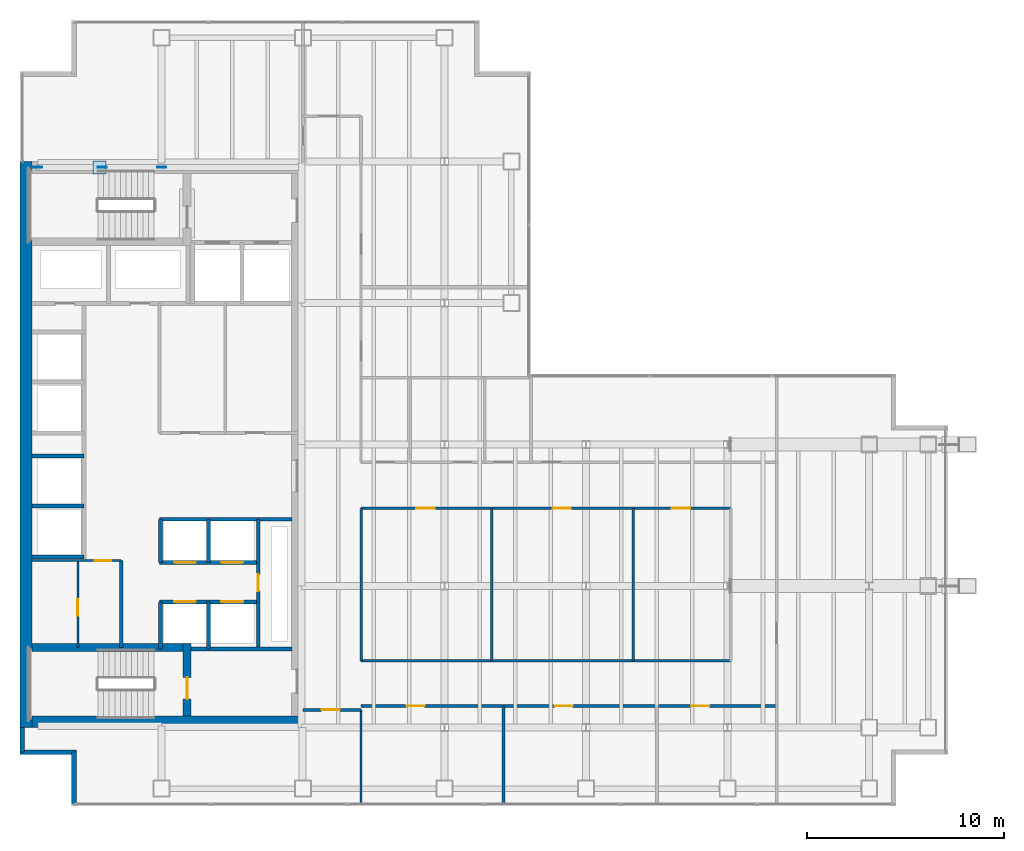
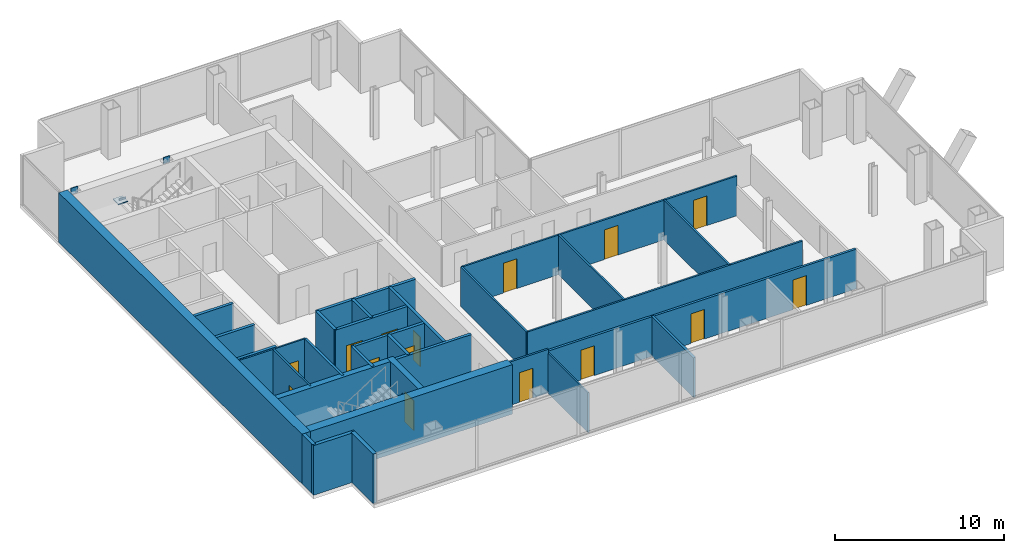
# One storey, part 20 of 23: 31 walls, 15 doors, 4 plates, 15 openings.
"""IFC4 building model written with IfcOpenShell, lengths in metres."""

import ifcopenshell
import ifcopenshell.guid

model = None  # the IFC model being written
_history = None  # IfcOwnerHistory: only IFC2X3 demands one
_inside = {}  # id of a spatial element -> (the spatial element, [elements in it])
_under = {}  # id of a project, library or spatial element -> (it, [spatial elements below it])
_declared = {}  # id of a project -> (the project, [libraries it declares])
_typed = {}  # id of a type object -> (the type object, [elements of that type])
_made_of = {}  # id of a material, layer set ... -> (it, [elements and type objects made of it])


def new_model(schema):
    """Start an empty IFC model of exactly this schema.

    Asked for "IFC4X3", IfcOpenShell would pick the latest addendum, in which some entities
    have other attributes; the version numbers below select the first issue.
    IFC2X3 requires an IfcOwnerHistory on every rooted entity: one is made here for all.
    """
    global model, _history
    if schema == "IFC4X3":
        model = ifcopenshell.file(schema_version=(4, 3, 0, 0))
    else:
        model = ifcopenshell.file(schema=schema)
    _inside.clear()
    _under.clear()
    _declared.clear()
    _typed.clear()
    _made_of.clear()
    _history = None
    if model.schema == "IFC2X3":
        org = make("IfcOrganization", Name="unknown")
        user = make(
            "IfcPersonAndOrganization",
            ThePerson=make("IfcPerson", FamilyName="unknown"),
            TheOrganization=org,
        )
        app = make(
            "IfcApplication",
            ApplicationDeveloper=org,
            Version="unknown",
            ApplicationFullName="unknown",
            ApplicationIdentifier="unknown",
        )
        _history = make(
            "IfcOwnerHistory",
            OwningUser=user,
            OwningApplication=app,
            ChangeAction="ADDED",
            CreationDate=0,
        )
    return model


def make(cls, **values):
    """One entity of the class cls with the attributes given. An attribute that is None is left unset."""
    return model.create_entity(
        cls, **{name: value for name, value in values.items() if value is not None}
    )


def rooted(cls, **values):
    """An entity with a GlobalId (a new one), such as an element, a storey or a relation."""
    return make(cls, GlobalId=ifcopenshell.guid.new(), OwnerHistory=_history, **values)


def si_unit(unit_type, name, prefix=None):
    """IfcSIUnit, for example si_unit("LENGTHUNIT", "METRE", prefix="MILLI")."""
    return make("IfcSIUnit", UnitType=unit_type, Prefix=prefix, Name=name)


def assignment(units):
    """IfcUnitAssignment: the units of a project."""
    return None if units is None else make("IfcUnitAssignment", Units=units)


def point(xyz):
    """IfcCartesianPoint."""
    return None if xyz is None else make("IfcCartesianPoint", Coordinates=xyz)


def direction(xyz):
    """IfcDirection."""
    return None if xyz is None else make("IfcDirection", DirectionRatios=xyz)


def frame(location, z_axis=None, x_axis=None):
    """IfcAxis2Placement3D, a coordinate frame: its origin and axes. An axis left out is left unset."""
    return make(
        "IfcAxis2Placement3D",
        Location=point(location),
        Axis=direction(z_axis),
        RefDirection=direction(x_axis),
    )


def frame_2d(location, x_axis=None):
    """IfcAxis2Placement2D, a coordinate frame in the plane: its origin and x axis."""
    return make(
        "IfcAxis2Placement2D", Location=point(location), RefDirection=direction(x_axis)
    )


def origin():
    """The frame at (0, 0, 0) with its axes left unset."""
    return frame((0.0, 0.0, 0.0))


def origin_2d():
    """The frame at (0, 0) in the plane with its x axis left unset."""
    return frame_2d((0.0, 0.0))


def place(relative_to, where):
    """IfcLocalPlacement: puts the frame where relative to a parent placement (None: the world)."""
    return make(
        "IfcLocalPlacement", PlacementRelTo=relative_to, RelativePlacement=where
    )


def context(
    kind, dimensions, precision=None, world=None, true_north=None, identifier=None
):
    """IfcGeometricRepresentationContext, for example the 3D "Model" context."""
    return make(
        "IfcGeometricRepresentationContext",
        ContextIdentifier=identifier,
        ContextType=kind,
        CoordinateSpaceDimension=dimensions,
        Precision=precision,
        WorldCoordinateSystem=world,
        TrueNorth=true_north,
    )


def subcontext(parent, identifier, kind, view, scale=None):
    """IfcGeometricRepresentationSubContext, for example "Body" below "Model"."""
    return make(
        "IfcGeometricRepresentationSubContext",
        ContextIdentifier=identifier,
        ContextType=kind,
        ParentContext=parent,
        TargetScale=scale,
        TargetView=view,
    )


def project(units=None, contexts=None):
    """IfcProject with its units and contexts."""
    return rooted(
        "IfcProject",
        Name="project",
        RepresentationContexts=contexts,
        UnitsInContext=assignment(units),
    )


def spatial(cls, under=None, at=None, **own):
    """A site, building, storey or space (cls), placed at a placement, below another one or the project."""
    s = rooted(cls, ObjectPlacement=at, **own)
    if under is not None:
        _under.setdefault(under.id(), (under, []))[1].append(s)
    return s


def profile(cls, at=None, kind="AREA", **sizes):
    """A parametric profile (cls). Its sizes go by their IFC names, for example OverallWidth=200.0."""
    return make(cls, ProfileType=kind, Position=at, **sizes)


def rectangle(**sizes):
    """IfcRectangleProfileDef."""
    return profile("IfcRectangleProfileDef", **sizes)


def extrude(swept, where, along, depth):
    """IfcExtrudedAreaSolid: the profile swept, set in the frame where, extruded along a direction by depth."""
    return make(
        "IfcExtrudedAreaSolid",
        SweptArea=swept,
        Position=where,
        ExtrudedDirection=direction(along),
        Depth=depth,
    )


def shape(context_of_items, identifier, shape_type, items):
    """IfcShapeRepresentation: the items that make up one representation, for example the "Body"."""
    return make(
        "IfcShapeRepresentation",
        ContextOfItems=context_of_items,
        RepresentationIdentifier=identifier,
        RepresentationType=shape_type,
        Items=items,
    )


def material(Name=None, Category=None):
    """IfcMaterial."""
    return make("IfcMaterial", Name=Name, Category=Category)


def layer(
    of_material, thickness, ventilated=None, Name=None, Category=None, Priority=None
):
    """IfcMaterialLayer: one layer of a wall or slab, of a material (None: an air gap)."""
    return make(
        "IfcMaterialLayer",
        Material=of_material,
        LayerThickness=thickness,
        IsVentilated=ventilated,
        Name=Name,
        Category=Category,
        Priority=Priority,
    )


def layer_set(layers, Name=None):
    """IfcMaterialLayerSet."""
    return make("IfcMaterialLayerSet", MaterialLayers=layers, LayerSetName=Name)


def made_of(thing, what):
    """Note that an element or type object is made of a material, layer set ...; save() writes the relation."""
    if what is not None:
        _made_of.setdefault(what.id(), (what, []))[1].append(thing)
    return thing


def type_object(cls, material=None, **own):
    """A type object (cls), such as IfcWallType, which elements share."""
    return made_of(rooted(cls, **own), material)


def element(
    cls,
    number,
    at=None,
    inside=None,
    cuts=None,
    type_object=None,
    material=None,
    context=None,
    identifier="Body",
    shape_type=None,
    held_by="IfcProductDefinitionShape",
    body=None,
    shapes=None,
    **own,
):
    """One element of the class cls, such as IfcWall. Its Tag is "e" and its number.

    at: its placement. inside: the storey or other place that contains it. cuts: it is an
    opening in that element (IfcRelVoidsElement). A single representation is given by context,
    identifier, shape_type and body (its items); several are given by shapes. held_by: the class
    of the entity that holds the representations. save() writes the other relations.
    """
    e = rooted(cls, Tag="e%d" % number, ObjectPlacement=at, **own)
    if body is not None:
        shapes = [shape(context, identifier, shape_type, body)]
    if shapes is not None:
        e.Representation = make(held_by, Representations=shapes)
    if inside is not None:
        _inside.setdefault(inside.id(), (inside, []))[1].append(e)
    if cuts is not None:
        rooted(
            "IfcRelVoidsElement", RelatingBuildingElement=cuts, RelatedOpeningElement=e
        )
    if type_object is not None:
        _typed.setdefault(type_object.id(), (type_object, []))[1].append(e)
    return made_of(e, material)


def fill(opening, filler):
    """IfcRelFillsElement: the door or window that sits in an opening."""
    return rooted(
        "IfcRelFillsElement",
        RelatingOpeningElement=opening,
        RelatedBuildingElement=filler,
    )


def aggregate(whole, parts):
    """IfcRelAggregates: a whole, such as a stair, and the parts it consists of."""
    return rooted("IfcRelAggregates", RelatingObject=whole, RelatedObjects=parts)


def save(model, path):
    """Write the relations noted so far, then the file.

    IfcRelAggregates (storeys below a building ...), IfcRelContainedInSpatialStructure (elements
    in a storey), IfcRelDefinesByType, IfcRelAssociatesMaterial and IfcRelDeclares: one each for
    every whole, place, type object, material and project.
    """
    for whole, parts in _under.values():
        aggregate(whole, parts)
    for where, things in _inside.values():
        rooted(
            "IfcRelContainedInSpatialStructure",
            RelatedElements=things,
            RelatingStructure=where,
        )
    for kind, things in _typed.values():
        rooted("IfcRelDefinesByType", RelatedObjects=things, RelatingType=kind)
    for what, things in _made_of.values():
        rooted("IfcRelAssociatesMaterial", RelatedObjects=things, RelatingMaterial=what)
    for by, libraries in _declared.values():
        rooted("IfcRelDeclares", RelatingContext=by, RelatedDefinitions=libraries)
    model.write(path)


model = new_model("IFC4")

# Units and contexts
model_context = context("Model", 3, precision=1e-05, world=origin(), true_north=direction((0.0, 1.0)))
body_context = subcontext(model_context, "Body", "Model", "MODEL_VIEW")
ifc_project = project(units=[si_unit("LENGTHUNIT", "METRE"), si_unit("AREAUNIT", "SQUARE_METRE"), si_unit("VOLUMEUNIT", "CUBIC_METRE"), si_unit("PLANEANGLEUNIT", "RADIAN"), si_unit("MASSUNIT", "GRAM", prefix="KILO")], contexts=[model_context])

# Site, building, storey
site_placement = place(None, origin())
site = spatial("IfcSite", under=ifc_project, at=site_placement, CompositionType="ELEMENT")
building_placement = place(site_placement, origin())
building = spatial("IfcBuilding", under=site, at=building_placement, Name="Cobrela Telecom Tower", CompositionType="ELEMENT")
storey_placement = place(building_placement, frame((0.0, 0.0, 156.10009765625)))
storey = spatial("IfcBuildingStorey", under=building, at=storey_placement, Name="L39", CompositionType="ELEMENT", Elevation=156.10009765625)

# Plates
ifc_material_1 = material(Name="Steel ASTM A572 Grade 50", Category="steel")
ifc_layer_1 = layer(ifc_material_1, 0.0419921875)
ifc_layer_set_1 = layer_set([ifc_layer_1], Name="Steel ASTM A572 Grade 50")
plate_type = type_object("IfcPlateType", Name="PLT-NODE-ND1", PredefinedType="USERDEFINED", material=ifc_layer_set_1)
for number, where, z_axis, x_axis, name in (
    (1, (7.199951171875, 35.699951171875, 3.389892578125), (0.0, 0.0, 1.0), (1.0, 0.0, 0.0), "Steel node plate PLT-MBR-EXO-L39-N1-A-1"),
    (2, (4.1953125, 35.699951171875, 1.4755859375), (0.0, 0.0, 1.0), (-1.0, 0.0, 0.0), "Steel node plate PLT-MBR-EXO-L39-N1-B1-1"),
    (3, (0.89990234375, 35.699951171875, 3.389892578125), (0.0, 0.0, 1.0), (-1.0, 0.0, 0.0), "Steel node plate PLT-MBR-EXO-L39-N1-B2-1"),
):
    element("IfcPlate", number, at=place(storey_placement, frame(where, z_axis=z_axis, x_axis=x_axis)), inside=storey, type_object=plate_type, Name=name, ObjectType="GUSSET PLATE", PredefinedType="USERDEFINED", context=body_context, shape_type="SweptSolid", body=[
        extrude(rectangle(XDim=0.4599609375, YDim=0.044921875, at=origin_2d()), origin(), (0.0, 0.0, 1.0), 0.4599609375),
    ])
plate_placement = place(storey_placement, frame((4.050048828125, 35.699951171875, 1.767333984375), z_axis=(0.0, 0.0, 1.0), x_axis=(1.0, 0.0, 0.0)))
element("IfcPlate", 4, at=plate_placement, inside=storey, type_object=plate_type, Name="L39 Core Flange Steel X-Brace Central X-Crossing Gusset Plate", ObjectType="GUSSET PLATE", PredefinedType="USERDEFINED", context=body_context, shape_type="SweptSolid", body=[
    extrude(rectangle(XDim=0.64990234375, YDim=0.64990234375, at=origin_2d()), origin(), (0.0, 0.0, 1.0), 0.044921875),
])

# Walls
ifc_material_2 = material(Name="Concrete C50/60", Category="concrete")
ifc_layer_2 = layer(ifc_material_2, 0.60009765625)
ifc_layer_set_2 = layer_set([ifc_layer_2], Name="Concrete C50/60")
wall_type_1 = type_object("IfcWallType", Name="WALL-CORE-C50-600", PredefinedType="SHEAR", material=ifc_layer_set_2)
wall_1_placement = place(storey_placement, frame((0.300048828125, 7.199951171875, 0.0), z_axis=(0.0, 0.0, 1.0), x_axis=(0.0, 1.0, 0.0)))
element("IfcWall", 5, at=wall_1_placement, inside=storey, type_object=wall_type_1, Name="L39 West Core Shear Wall", PredefinedType="SHEAR", context=body_context, shape_type="SweptSolid", body=[
    extrude(rectangle(XDim=28.800048828125, YDim=0.60009765625, at=frame_2d((14.39990234375, 0.0))), origin(), (0.0, 0.0, 1.0), 3.579833984375),
])
wall_2_placement = place(storey_placement, frame((0.60009765625, 7.5, 0.0), z_axis=(0.0, 0.0, 1.0), x_axis=(1.0, 0.0, 0.0)))
element("IfcWall", 6, at=wall_2_placement, inside=storey, type_object=wall_type_1, Name="L39 South Core Shear Wall", PredefinedType="SHEAR", context=body_context, shape_type="SweptSolid", body=[
    extrude(rectangle(XDim=13.7998046875, YDim=0.60009765625, at=frame_2d((6.89990234375, 0.0))), origin(), (0.0, 0.0, 1.0), 3.579833984375),
])
ifc_material_3 = material(Name="Concrete C40/50", Category="concrete")
ifc_layer_3 = layer(ifc_material_3, 0.239990234375)
ifc_layer_set_3 = layer_set([ifc_layer_3], Name="Concrete C40/50")
wall_type_2 = type_object("IfcWallType", Name="WALL-EXT-300", PredefinedType="STANDARD", material=ifc_layer_set_3)
wall_3_placement = place(storey_placement, frame((2.75, 3.320068359375, 0.0), z_axis=(0.0, 0.0, 1.0), x_axis=(0.0, 1.0, 0.0)))
element("IfcWall", 7, at=wall_3_placement, inside=storey, type_object=wall_type_2, Name="L39 Insulated Facade Wall 01", PredefinedType="STANDARD", context=body_context, shape_type="SweptSolid", body=[
    extrude(rectangle(XDim=2.6298828125, YDim=0.239990234375, at=frame_2d((1.31494140625, 0.0))), origin(), (0.0, 0.0, 1.0), 3.579833984375),
])
wall_4_placement = place(storey_placement, frame((2.8701171875, 5.949951171875, 0.0), z_axis=(0.0, 0.0, 1.0), x_axis=(-1.0, 0.0, 0.0)))
element("IfcWall", 8, at=wall_4_placement, inside=storey, type_object=wall_type_2, Name="L39 Insulated Facade Wall 02", PredefinedType="STANDARD", context=body_context, shape_type="SweptSolid", body=[
    extrude(rectangle(XDim=2.8701171875, YDim=0.239990234375, at=frame_2d((1.43505859375, 0.0))), origin(), (0.0, 0.0, 1.0), 3.579833984375),
])
wall_5_placement = place(storey_placement, frame((0.1201171875, 5.949951171875, 0.0), z_axis=(0.0, 0.0, 1.0), x_axis=(0.0, 1.0, 0.0)))
element("IfcWall", 9, at=wall_5_placement, inside=storey, type_object=wall_type_2, Name="L39 Insulated Facade Wall 03", PredefinedType="STANDARD", context=body_context, shape_type="SweptSolid", body=[
    extrude(rectangle(XDim=1.25, YDim=0.239990234375, at=frame_2d((0.625, 0.0))), origin(), (0.0, 0.0, 1.0), 3.579833984375),
])

# Wall, opening, door
ifc_material_4 = material(Name="Fire-Rated Gypsum Plasterboard")
ifc_layer_4 = layer(ifc_material_4, 0.110107421875)
ifc_layer_set_4 = layer_set([ifc_layer_4], Name="Fire-Rated Gypsum Plasterboard")
wall_type_3 = type_object("IfcWallType", Name="WALL-PART-110", PredefinedType="PARTITIONING", material=ifc_layer_set_4)
wall_6_placement = place(storey_placement, frame((0.60009765625, 15.699951171875, 0.0), z_axis=(0.0, 0.0, 1.0), x_axis=(1.0, 0.0, 0.0)))
wall_6 = element("IfcWall", 10, at=wall_6_placement, inside=storey, type_object=wall_type_3, Name="L39 Interior Partition CW-FLEX-N", PredefinedType="PARTITIONING", context=body_context, shape_type="SweptSolid", body=[
    extrude(rectangle(XDim=4.5498046875, YDim=0.110107421875, at=frame_2d((2.27490234375, 0.0))), origin(), (0.0, 0.0, 1.0), 3.579833984375),
])
opening_1_placement = place(wall_6_placement, frame((3.199951171875, 0.0, 0.0)))
opening_1 = element("IfcOpeningElement", 11, at=opening_1_placement, cuts=wall_6, Name="Opening DR-11", PredefinedType="OPENING", context=body_context, shape_type="SweptSolid", body=[
    extrude(rectangle(XDim=0.85009765625, YDim=2.14990234375, at=frame_2d((0.425048828125, 1.074951171875))), frame((0.0, 0.06689453125, 0.0), z_axis=(0.0, -1.0, 0.0), x_axis=(1.0, 0.0, 0.0)), (0.0, 0.0, 1.0), 0.134033203125),
])
ifc_material_5 = material(Name="Solid Engineered Oak Timber", Category="wood")
door_type_1 = type_object("IfcDoorType", Name="DOOR-INT-850", OperationType="SINGLE_SWING_LEFT", PredefinedType="DOOR", material=ifc_material_5)
door_1_placement = place(opening_1_placement, origin())
door_1 = element("IfcDoor", 12, at=door_1_placement, inside=storey, type_object=door_type_1, Name="L39 Door DR-11", OperationType="SINGLE_SWING_LEFT", OverallHeight=2.14990234375, OverallWidth=0.85009765625, PredefinedType="DOOR", context=body_context, shape_type="SweptSolid", body=[
    extrude(rectangle(XDim=0.85009765625, YDim=2.14990234375, at=frame_2d((0.425048828125, 1.074951171875))), frame((0.0, 0.02490234375, 0.0), z_axis=(0.0, -1.0, 0.0), x_axis=(1.0, 0.0, 0.0)), (0.0, 0.0, 1.0), 0.050048828125),
])
fill(opening_1, door_1)

# Wall
wall_7_placement = place(storey_placement, frame((17.35009765625, 3.320068359375, 0.0), z_axis=(0.0, 0.0, 1.0), x_axis=(0.0, 1.0, 0.0)))
element("IfcWall", 13, at=wall_7_placement, inside=storey, type_object=wall_type_3, Name="L39 Interior Partition W-USW-E", PredefinedType="PARTITIONING", context=body_context, shape_type="SweptSolid", body=[
    extrude(rectangle(XDim=4.780029296875, YDim=0.110107421875, at=frame_2d((2.39013671875, 0.0))), origin(), (0.0, 0.0, 1.0), 2.868896484375),
])

# Wall, opening, door
ifc_layer_5 = layer(ifc_material_4, 0.125)
ifc_layer_set_5 = layer_set([ifc_layer_5], Name="Fire-Rated Gypsum Plasterboard")
wall_type_4 = type_object("IfcWallType", Name="WALL-PART-125", PredefinedType="PARTITIONING", material=ifc_layer_set_5)
wall_8_placement = place(storey_placement, frame((2.949951171875, 11.280029296875, 0.0), z_axis=(0.0, 0.0, 1.0), x_axis=(0.0, 1.0, 0.0)))
wall_8 = element("IfcWall", 14, at=wall_8_placement, inside=storey, type_object=wall_type_4, Name="L39 Interior Partition CW-FK1-V", PredefinedType="PARTITIONING", context=body_context, shape_type="SweptSolid", body=[
    extrude(rectangle(XDim=4.419921875, YDim=0.125, at=frame_2d((2.2099609375, 0.0))), origin(), (0.0, 0.0, 1.0), 3.579833984375),
])
opening_2_placement = place(wall_8_placement, frame((1.60009765625, 0.0, 0.0)))
opening_2 = element("IfcOpeningElement", 15, at=opening_2_placement, cuts=wall_8, Name="Opening DR-11", PredefinedType="OPENING", context=body_context, shape_type="SweptSolid", body=[
    extrude(rectangle(XDim=0.85009765625, YDim=2.14990234375, at=frame_2d((0.425048828125, 1.074951171875))), frame((0.0, 0.074462890625, 0.0), z_axis=(0.0, -1.0, 0.0), x_axis=(1.0, 0.0, 0.0)), (0.0, 0.0, 1.0), 0.14892578125),
])
door_2_placement = place(opening_2_placement, origin())
door_2 = element("IfcDoor", 16, at=door_2_placement, inside=storey, type_object=door_type_1, Name="L39 Door DR-11", OperationType="SINGLE_SWING_RIGHT", OverallHeight=2.14990234375, OverallWidth=0.85009765625, PredefinedType="DOOR", context=body_context, shape_type="SweptSolid", body=[
    extrude(rectangle(XDim=0.85009765625, YDim=2.14990234375, at=frame_2d((0.425048828125, 1.074951171875))), frame((0.0, 0.02490234375, 0.0), z_axis=(0.0, -1.0, 0.0), x_axis=(1.0, 0.0, 0.0)), (0.0, 0.0, 1.0), 0.050048828125),
])
fill(opening_2, door_2)

# Walls
wall_9_placement = place(storey_placement, frame((17.35009765625, 10.60009765625, 0.0), z_axis=(0.0, 0.0, 1.0), x_axis=(0.0, 1.0, 0.0)))
element("IfcWall", 17, at=wall_9_placement, inside=storey, type_object=wall_type_4, Name="L39 Interior Partition W-ISL-W", PredefinedType="PARTITIONING", context=body_context, shape_type="SweptSolid", body=[
    extrude(rectangle(XDim=7.75, YDim=0.125, at=frame_2d((3.875, 0.0))), origin(), (0.0, 0.0, 1.0), 2.868896484375),
])
wall_10_placement = place(storey_placement, frame((17.35009765625, 10.60009765625, 0.0), z_axis=(0.0, 0.0, 1.0), x_axis=(1.0, 0.0, 0.0)))
element("IfcWall", 18, at=wall_10_placement, inside=storey, type_object=wall_type_4, Name="L39 Interior Partition W-ISL-S", PredefinedType="PARTITIONING", context=body_context, shape_type="SweptSolid", body=[
    extrude(rectangle(XDim=18.7998046875, YDim=0.125, at=frame_2d((9.39990234375, 0.0))), origin(), (0.0, 0.0, 1.0), 2.868896484375),
])

# Wall, openings, doors
wall_11_placement = place(storey_placement, frame((17.35009765625, 18.35009765625, 0.0), z_axis=(0.0, 0.0, 1.0), x_axis=(1.0, 0.0, 0.0)))
wall_11 = element("IfcWall", 19, at=wall_11_placement, inside=storey, type_object=wall_type_4, Name="L39 Interior Partition W-ISL-N", PredefinedType="PARTITIONING", context=body_context, shape_type="SweptSolid", body=[
    extrude(rectangle(XDim=18.7998046875, YDim=0.125, at=frame_2d((9.39990234375, 0.0))), origin(), (0.0, 0.0, 1.0), 2.868896484375),
])
opening_3_placement = place(wall_11_placement, frame((2.820068359375, 0.0, 0.0)))
opening_3 = element("IfcOpeningElement", 20, at=opening_3_placement, cuts=wall_11, Name="Opening DR-45", PredefinedType="OPENING", context=body_context, shape_type="SweptSolid", body=[
    extrude(rectangle(XDim=0.919921875, YDim=2.14990234375, at=frame_2d((0.4599609375, 1.074951171875))), frame((0.0, 0.074462890625, 0.0), z_axis=(0.0, -1.0, 0.0), x_axis=(1.0, 0.0, 0.0)), (0.0, 0.0, 1.0), 0.14892578125),
])
opening_4_placement = place(wall_11_placement, frame((9.75, 0.0, 0.0)))
opening_4 = element("IfcOpeningElement", 21, at=opening_4_placement, cuts=wall_11, Name="Opening DR-45", PredefinedType="OPENING", context=body_context, shape_type="SweptSolid", body=[
    extrude(rectangle(XDim=0.919921875, YDim=2.14990234375, at=frame_2d((0.4599609375, 1.074951171875))), frame((0.0, 0.074462890625, 0.0), z_axis=(0.0, -1.0, 0.0), x_axis=(1.0, 0.0, 0.0)), (0.0, 0.0, 1.0), 0.14892578125),
])
opening_5_placement = place(wall_11_placement, frame((15.820068359375, 0.0, 0.0)))
opening_5 = element("IfcOpeningElement", 22, at=opening_5_placement, cuts=wall_11, Name="Opening DR-45", PredefinedType="OPENING", context=body_context, shape_type="SweptSolid", body=[
    extrude(rectangle(XDim=0.919921875, YDim=2.14990234375, at=frame_2d((0.4599609375, 1.074951171875))), frame((0.0, 0.074462890625, 0.0), z_axis=(0.0, -1.0, 0.0), x_axis=(1.0, 0.0, 0.0)), (0.0, 0.0, 1.0), 0.14892578125),
])
door_type_2 = type_object("IfcDoorType", Name="DOOR-INT-920", OperationType="SINGLE_SWING_LEFT", PredefinedType="DOOR", material=ifc_material_5)
door_3_placement = place(opening_3_placement, origin())
door_3 = element("IfcDoor", 23, at=door_3_placement, inside=storey, type_object=door_type_2, Name="L39 Door DR-45", OperationType="SINGLE_SWING_LEFT", OverallHeight=2.14990234375, OverallWidth=0.919921875, PredefinedType="DOOR", context=body_context, shape_type="SweptSolid", body=[
    extrude(rectangle(XDim=0.919921875, YDim=2.14990234375, at=frame_2d((0.4599609375, 1.074951171875))), frame((0.0, 0.02490234375, 0.0), z_axis=(0.0, -1.0, 0.0), x_axis=(1.0, 0.0, 0.0)), (0.0, 0.0, 1.0), 0.050048828125),
])
fill(opening_3, door_3)
door_4_placement = place(opening_4_placement, origin())
door_4 = element("IfcDoor", 24, at=door_4_placement, inside=storey, type_object=door_type_2, Name="L39 Door DR-45", OperationType="SINGLE_SWING_RIGHT", OverallHeight=2.14990234375, OverallWidth=0.919921875, PredefinedType="DOOR", context=body_context, shape_type="SweptSolid", body=[
    extrude(rectangle(XDim=0.919921875, YDim=2.14990234375, at=frame_2d((0.4599609375, 1.074951171875))), frame((0.0, 0.02490234375, 0.0), z_axis=(0.0, -1.0, 0.0), x_axis=(1.0, 0.0, 0.0)), (0.0, 0.0, 1.0), 0.050048828125),
])
fill(opening_4, door_4)
door_5_placement = place(opening_5_placement, origin())
door_5 = element("IfcDoor", 25, at=door_5_placement, inside=storey, type_object=door_type_2, Name="L39 Door DR-45", OperationType="SINGLE_SWING_LEFT", OverallHeight=2.14990234375, OverallWidth=0.919921875, PredefinedType="DOOR", context=body_context, shape_type="SweptSolid", body=[
    extrude(rectangle(XDim=0.919921875, YDim=2.14990234375, at=frame_2d((0.4599609375, 1.074951171875))), frame((0.0, 0.02490234375, 0.0), z_axis=(0.0, -1.0, 0.0), x_axis=(1.0, 0.0, 0.0)), (0.0, 0.0, 1.0), 0.050048828125),
])
fill(opening_5, door_5)

# Walls
for number, where, z_axis, x_axis, name in (
    (26, (24.0, 10.60009765625, 0.0), (0.0, 0.0, 1.0), (0.0, 1.0, 0.0), "L39 Interior Partition W-ISLV-1"),
    (27, (31.199951171875, 10.60009765625, 0.0), (0.0, 0.0, 1.0), (0.0, 1.0, 0.0), "L39 Interior Partition W-ISLV-2"),
):
    element("IfcWall", number, at=place(storey_placement, frame(where, z_axis=z_axis, x_axis=x_axis)), inside=storey, type_object=wall_type_4, Name=name, PredefinedType="PARTITIONING", context=body_context, shape_type="SweptSolid", body=[
        extrude(rectangle(XDim=7.75, YDim=0.125, at=frame_2d((3.875, 0.0))), origin(), (0.0, 0.0, 1.0), 2.868896484375),
    ])

# Wall, opening, door
ifc_layer_6 = layer(ifc_material_4, 0.135009765625)
ifc_layer_set_6 = layer_set([ifc_layer_6], Name="Fire-Rated Gypsum Plasterboard")
wall_type_5 = type_object("IfcWallType", Name="WALL-PART-135", PredefinedType="PARTITIONING", material=ifc_layer_set_6)
wall_12_placement = place(storey_placement, frame((14.39990234375, 8.10009765625, 0.0), z_axis=(0.0, 0.0, 1.0), x_axis=(1.0, 0.0, 0.0)))
wall_12 = element("IfcWall", 28, at=wall_12_placement, inside=storey, type_object=wall_type_5, Name="L39 Interior Partition W-UW-S0", PredefinedType="PARTITIONING", context=body_context, shape_type="SweptSolid", body=[
    extrude(rectangle(XDim=2.9501953125, YDim=0.135009765625, at=frame_2d((1.47509765625, 0.0))), origin(), (0.0, 0.0, 1.0), 3.14794921875),
])
opening_6_placement = place(wall_12_placement, frame((0.949951171875, 0.0, 0.0)))
opening_6 = element("IfcOpeningElement", 29, at=opening_6_placement, cuts=wall_12, Name="Opening DR-45", PredefinedType="OPENING", context=body_context, shape_type="SweptSolid", body=[
    extrude(rectangle(XDim=0.919921875, YDim=2.14990234375, at=frame_2d((0.4599609375, 1.074951171875))), frame((0.0, 0.07958984375, 0.0), z_axis=(0.0, -1.0, 0.0), x_axis=(1.0, 0.0, 0.0)), (0.0, 0.0, 1.0), 0.158935546875),
])
door_6_placement = place(opening_6_placement, origin())
door_6 = element("IfcDoor", 30, at=door_6_placement, inside=storey, type_object=door_type_2, Name="L39 Door DR-45", OperationType="SINGLE_SWING_RIGHT", OverallHeight=2.14990234375, OverallWidth=0.919921875, PredefinedType="DOOR", context=body_context, shape_type="SweptSolid", body=[
    extrude(rectangle(XDim=0.919921875, YDim=2.14990234375, at=frame_2d((0.4599609375, 1.074951171875))), frame((0.0, 0.02490234375, 0.0), z_axis=(0.0, -1.0, 0.0), x_axis=(1.0, 0.0, 0.0)), (0.0, 0.0, 1.0), 0.050048828125),
])
fill(opening_6, door_6)

# Wall
ifc_layer_7 = layer(ifc_material_4, 0.159912109375)
ifc_layer_set_7 = layer_set([ifc_layer_7], Name="Fire-Rated Gypsum Plasterboard")
wall_type_6 = type_object("IfcWallType", Name="WALL-PART-160", PredefinedType="PARTITIONING", material=ifc_layer_set_7)
wall_13_placement = place(storey_placement, frame((5.14990234375, 11.280029296875, 0.0), z_axis=(0.0, 0.0, 1.0), x_axis=(0.0, 1.0, 0.0)))
element("IfcWall", 31, at=wall_13_placement, inside=storey, type_object=wall_type_6, Name="L39 Interior Partition CW-FLEX-E", PredefinedType="PARTITIONING", context=body_context, shape_type="SweptSolid", body=[
    extrude(rectangle(XDim=4.419921875, YDim=0.159912109375, at=frame_2d((2.2099609375, 0.0))), origin(), (0.0, 0.0, 1.0), 3.579833984375),
])

# Wall, openings, doors
wall_14_placement = place(storey_placement, frame((17.35009765625, 8.300048828125, 0.0), z_axis=(0.0, 0.0, 1.0), x_axis=(1.0, 0.0, 0.0)))
wall_14 = element("IfcWall", 32, at=wall_14_placement, inside=storey, type_object=wall_type_6, Name="L39 Interior Partition W-US-S", PredefinedType="PARTITIONING", context=body_context, shape_type="SweptSolid", body=[
    extrude(rectangle(XDim=21.14990234375, YDim=0.159912109375, at=frame_2d((10.574951171875, 0.0))), origin(), (0.0, 0.0, 1.0), 2.868896484375),
])
opening_7_placement = place(wall_14_placement, frame((2.320068359375, 0.0, 0.0)))
opening_7 = element("IfcOpeningElement", 33, at=opening_7_placement, cuts=wall_14, Name="Opening DR-45", PredefinedType="OPENING", context=body_context, shape_type="SweptSolid", body=[
    extrude(rectangle(XDim=0.919921875, YDim=2.14990234375, at=frame_2d((0.4599609375, 1.074951171875))), frame((0.0, 0.091796875, 0.0), z_axis=(0.0, -1.0, 0.0), x_axis=(1.0, 0.0, 0.0)), (0.0, 0.0, 1.0), 0.183837890625),
])
opening_8_placement = place(wall_14_placement, frame((9.85009765625, 0.0, 0.0)))
opening_8 = element("IfcOpeningElement", 34, at=opening_8_placement, cuts=wall_14, Name="Opening DR-45", PredefinedType="OPENING", context=body_context, shape_type="SweptSolid", body=[
    extrude(rectangle(XDim=0.919921875, YDim=2.14990234375, at=frame_2d((0.4599609375, 1.074951171875))), frame((0.0, 0.091796875, 0.0), z_axis=(0.0, -1.0, 0.0), x_axis=(1.0, 0.0, 0.0)), (0.0, 0.0, 1.0), 0.183837890625),
])
opening_9_placement = place(wall_14_placement, frame((16.800048828125, 0.0, 0.0)))
opening_9 = element("IfcOpeningElement", 35, at=opening_9_placement, cuts=wall_14, Name="Opening DR-45", PredefinedType="OPENING", context=body_context, shape_type="SweptSolid", body=[
    extrude(rectangle(XDim=0.919921875, YDim=2.14990234375, at=frame_2d((0.4599609375, 1.074951171875))), frame((0.0, 0.091796875, 0.0), z_axis=(0.0, -1.0, 0.0), x_axis=(1.0, 0.0, 0.0)), (0.0, 0.0, 1.0), 0.183837890625),
])
door_7_placement = place(opening_7_placement, origin())
door_7 = element("IfcDoor", 36, at=door_7_placement, inside=storey, type_object=door_type_2, Name="L39 Door DR-45", OperationType="SINGLE_SWING_LEFT", OverallHeight=2.14990234375, OverallWidth=0.919921875, PredefinedType="DOOR", context=body_context, shape_type="SweptSolid", body=[
    extrude(rectangle(XDim=0.919921875, YDim=2.14990234375, at=frame_2d((0.4599609375, 1.074951171875))), frame((0.0, 0.02490234375, 0.0), z_axis=(0.0, -1.0, 0.0), x_axis=(1.0, 0.0, 0.0)), (0.0, 0.0, 1.0), 0.050048828125),
])
fill(opening_7, door_7)
door_8_placement = place(opening_8_placement, origin())
door_8 = element("IfcDoor", 37, at=door_8_placement, inside=storey, type_object=door_type_2, Name="L39 Door DR-45", OperationType="SINGLE_SWING_RIGHT", OverallHeight=2.14990234375, OverallWidth=0.919921875, PredefinedType="DOOR", context=body_context, shape_type="SweptSolid", body=[
    extrude(rectangle(XDim=0.919921875, YDim=2.14990234375, at=frame_2d((0.4599609375, 1.074951171875))), frame((0.0, 0.02490234375, 0.0), z_axis=(0.0, -1.0, 0.0), x_axis=(1.0, 0.0, 0.0)), (0.0, 0.0, 1.0), 0.050048828125),
])
fill(opening_8, door_8)
door_9_placement = place(opening_9_placement, origin())
door_9 = element("IfcDoor", 38, at=door_9_placement, inside=storey, type_object=door_type_2, Name="L39 Door DR-45", OperationType="SINGLE_SWING_LEFT", OverallHeight=2.14990234375, OverallWidth=0.919921875, PredefinedType="DOOR", context=body_context, shape_type="SweptSolid", body=[
    extrude(rectangle(XDim=0.919921875, YDim=2.14990234375, at=frame_2d((0.4599609375, 1.074951171875))), frame((0.0, 0.02490234375, 0.0), z_axis=(0.0, -1.0, 0.0), x_axis=(1.0, 0.0, 0.0)), (0.0, 0.0, 1.0), 0.050048828125),
])
fill(opening_9, door_9)

# Walls
wall_15_placement = place(storey_placement, frame((24.60009765625, 3.320068359375, 0.0), z_axis=(0.0, 0.0, 1.0), x_axis=(0.0, 1.0, 0.0)))
element("IfcWall", 39, at=wall_15_placement, inside=storey, type_object=wall_type_6, Name="L39 Interior Partition W-USV-1", PredefinedType="PARTITIONING", context=body_context, shape_type="SweptSolid", body=[
    extrude(rectangle(XDim=4.97998046875, YDim=0.159912109375, at=frame_2d((2.489990234375, 0.0))), origin(), (0.0, 0.0, 1.0), 2.868896484375),
])
ifc_layer_8 = layer(ifc_material_4, 0.199951171875)
ifc_layer_set_8 = layer_set([ifc_layer_8], Name="Fire-Rated Gypsum Plasterboard")
wall_type_7 = type_object("IfcWallType", Name="WALL-SHAFT-200", PredefinedType="PARTITIONING", material=ifc_layer_set_8)
wall_16_placement = place(storey_placement, frame((8.699951171875, 11.199951171875, 0.0), z_axis=(0.0, 0.0, 1.0), x_axis=(1.0, 0.0, 0.0)))
element("IfcWall", 40, at=wall_16_placement, inside=storey, type_object=wall_type_7, Name="L39 Shaft Enclosure CW-ST2L-N", PredefinedType="PARTITIONING", context=body_context, shape_type="SweptSolid", body=[
    extrude(rectangle(XDim=5.150146484375, YDim=0.199951171875, at=frame_2d((2.5751953125, 0.0))), origin(), (0.0, 0.0, 1.0), 3.579833984375),
])
for number, where, z_axis, x_axis, name in (
    (41, (0.60009765625, 15.8798828125, 0.0), (0.0, 0.0, 1.0), (1.0, 0.0, 0.0), "L39 Shaft Enclosure CW-PLH-D9"),
    (42, (0.60009765625, 18.47998046875, 0.0), (0.0, 0.0, 1.0), (1.0, 0.0, 0.0), "L39 Shaft Enclosure CW-PLH-D10"),
    (43, (0.60009765625, 21.02001953125, 0.0), (0.0, 0.0, 1.0), (1.0, 0.0, 0.0), "L39 Shaft Enclosure CW-PLH-MID"),
):
    element("IfcWall", number, at=place(storey_placement, frame(where, z_axis=z_axis, x_axis=x_axis)), inside=storey, type_object=wall_type_7, Name=name, PredefinedType="PARTITIONING", context=body_context, shape_type="SweptSolid", body=[
        extrude(rectangle(XDim=2.64990234375, YDim=0.199951171875, at=frame_2d((1.324951171875, 0.0))), origin(), (0.0, 0.0, 1.0), 3.579833984375),
    ])
wall_17_placement = place(storey_placement, frame((7.10009765625, 17.800048828125, 0.0), z_axis=(0.0, 0.0, 1.0), x_axis=(1.0, 0.0, 0.0)))
element("IfcWall", 44, at=wall_17_placement, inside=storey, type_object=wall_type_7, Name="L39 Shaft Enclosure CW-PLM-T0", PredefinedType="PARTITIONING", context=body_context, shape_type="SweptSolid", body=[
    extrude(rectangle(XDim=6.75, YDim=0.199951171875, at=frame_2d((3.375, 0.0))), origin(), (0.0, 0.0, 1.0), 3.579833984375),
])

# Wall, openings, doors
wall_18_placement = place(storey_placement, frame((7.10009765625, 15.60009765625, 0.0), z_axis=(0.0, 0.0, 1.0), x_axis=(1.0, 0.0, 0.0)))
wall_18 = element("IfcWall", 45, at=wall_18_placement, inside=storey, type_object=wall_type_7, Name="L39 Shaft Enclosure CW-PLM-N", PredefinedType="PARTITIONING", context=body_context, shape_type="SweptSolid", body=[
    extrude(rectangle(XDim=5.02001953125, YDim=0.199951171875, at=frame_2d((2.510009765625, 0.0))), origin(), (0.0, 0.0, 1.0), 3.579833984375),
])
opening_10_placement = place(wall_18_placement, frame((0.75, 0.0, 0.0)))
opening_10 = element("IfcOpeningElement", 46, at=opening_10_placement, cuts=wall_18, Name="Opening LD-1", PredefinedType="OPENING", context=body_context, shape_type="SweptSolid", body=[
    extrude(rectangle(XDim=1.10009765625, YDim=2.199951171875, at=frame_2d((0.550048828125, 1.10009765625))), frame((0.0, 0.11181640625, 0.0), z_axis=(0.0, -1.0, 0.0), x_axis=(1.0, 0.0, 0.0)), (0.0, 0.0, 1.0), 0.223876953125),
])
opening_11_placement = place(wall_18_placement, frame((3.14990234375, 0.0, 0.0)))
opening_11 = element("IfcOpeningElement", 47, at=opening_11_placement, cuts=wall_18, Name="Opening LD-1", PredefinedType="OPENING", context=body_context, shape_type="SweptSolid", body=[
    extrude(rectangle(XDim=1.10009765625, YDim=2.199951171875, at=frame_2d((0.550048828125, 1.10009765625))), frame((0.0, 0.11181640625, 0.0), z_axis=(0.0, -1.0, 0.0), x_axis=(1.0, 0.0, 0.0)), (0.0, 0.0, 1.0), 0.223876953125),
])
ifc_material_6 = material(Name="Steel ASTM A36", Category="steel")
door_type_3 = type_object("IfcDoorType", Name="DOOR-LD-PL", OperationType="SINGLE_SWING_LEFT", PredefinedType="DOOR", material=ifc_material_6)
door_10_placement = place(opening_10_placement, origin())
door_10 = element("IfcDoor", 48, at=door_10_placement, inside=storey, type_object=door_type_3, Name="L39 Lift Landing Door LD-1", OperationType="DOUBLE_DOOR_SLIDING", OverallHeight=2.199951171875, OverallWidth=1.10009765625, PredefinedType="DOOR", context=body_context, shape_type="SweptSolid", body=[
    extrude(rectangle(XDim=1.10009765625, YDim=2.199951171875, at=frame_2d((0.550048828125, 1.10009765625))), frame((0.0, 0.02490234375, 0.0), z_axis=(0.0, -1.0, 0.0), x_axis=(1.0, 0.0, 0.0)), (0.0, 0.0, 1.0), 0.050048828125),
])
fill(opening_10, door_10)
door_11_placement = place(opening_11_placement, origin())
door_11 = element("IfcDoor", 49, at=door_11_placement, inside=storey, type_object=door_type_3, Name="L39 Lift Landing Door LD-1", OperationType="DOUBLE_DOOR_SLIDING", OverallHeight=2.199951171875, OverallWidth=1.10009765625, PredefinedType="DOOR", context=body_context, shape_type="SweptSolid", body=[
    extrude(rectangle(XDim=1.10009765625, YDim=2.199951171875, at=frame_2d((0.550048828125, 1.10009765625))), frame((0.0, 0.02490234375, 0.0), z_axis=(0.0, -1.0, 0.0), x_axis=(1.0, 0.0, 0.0)), (0.0, 0.0, 1.0), 0.050048828125),
])
fill(opening_11, door_11)

wall_19_placement = place(storey_placement, frame((7.10009765625, 13.60009765625, 0.0), z_axis=(0.0, 0.0, 1.0), x_axis=(1.0, 0.0, 0.0)))
wall_19 = element("IfcWall", 50, at=wall_19_placement, inside=storey, type_object=wall_type_7, Name="L39 Shaft Enclosure CW-PLM-S", PredefinedType="PARTITIONING", context=body_context, shape_type="SweptSolid", body=[
    extrude(rectangle(XDim=5.02001953125, YDim=0.199951171875, at=frame_2d((2.510009765625, 0.0))), origin(), (0.0, 0.0, 1.0), 3.579833984375),
])
opening_12_placement = place(wall_19_placement, frame((0.75, 0.0, 0.0)))
opening_12 = element("IfcOpeningElement", 51, at=opening_12_placement, cuts=wall_19, Name="Opening LD-1", PredefinedType="OPENING", context=body_context, shape_type="SweptSolid", body=[
    extrude(rectangle(XDim=1.10009765625, YDim=2.199951171875, at=frame_2d((0.550048828125, 1.10009765625))), frame((0.0, 0.11181640625, 0.0), z_axis=(0.0, -1.0, 0.0), x_axis=(1.0, 0.0, 0.0)), (0.0, 0.0, 1.0), 0.223876953125),
])
opening_13_placement = place(wall_19_placement, frame((3.14990234375, 0.0, 0.0)))
opening_13 = element("IfcOpeningElement", 52, at=opening_13_placement, cuts=wall_19, Name="Opening LD-1", PredefinedType="OPENING", context=body_context, shape_type="SweptSolid", body=[
    extrude(rectangle(XDim=1.10009765625, YDim=2.199951171875, at=frame_2d((0.550048828125, 1.10009765625))), frame((0.0, 0.11181640625, 0.0), z_axis=(0.0, -1.0, 0.0), x_axis=(1.0, 0.0, 0.0)), (0.0, 0.0, 1.0), 0.223876953125),
])
door_12_placement = place(opening_12_placement, origin())
door_12 = element("IfcDoor", 53, at=door_12_placement, inside=storey, type_object=door_type_3, Name="L39 Lift Landing Door LD-1", OperationType="DOUBLE_DOOR_SLIDING", OverallHeight=2.199951171875, OverallWidth=1.10009765625, PredefinedType="DOOR", context=body_context, shape_type="SweptSolid", body=[
    extrude(rectangle(XDim=1.10009765625, YDim=2.199951171875, at=frame_2d((0.550048828125, 1.10009765625))), frame((0.0, 0.02490234375, 0.0), z_axis=(0.0, -1.0, 0.0), x_axis=(1.0, 0.0, 0.0)), (0.0, 0.0, 1.0), 0.050048828125),
])
fill(opening_12, door_12)
door_13_placement = place(opening_13_placement, origin())
door_13 = element("IfcDoor", 54, at=door_13_placement, inside=storey, type_object=door_type_3, Name="L39 Lift Landing Door LD-1", OperationType="DOUBLE_DOOR_SLIDING", OverallHeight=2.199951171875, OverallWidth=1.10009765625, PredefinedType="DOOR", context=body_context, shape_type="SweptSolid", body=[
    extrude(rectangle(XDim=1.10009765625, YDim=2.199951171875, at=frame_2d((0.550048828125, 1.10009765625))), frame((0.0, 0.02490234375, 0.0), z_axis=(0.0, -1.0, 0.0), x_axis=(1.0, 0.0, 0.0)), (0.0, 0.0, 1.0), 0.050048828125),
])
fill(opening_13, door_13)

# Walls
wall_20_placement = place(storey_placement, frame((7.14990234375, 15.60009765625, 0.0), z_axis=(0.0, 0.0, 1.0), x_axis=(0.0, 1.0, 0.0)))
element("IfcWall", 55, at=wall_20_placement, inside=storey, type_object=wall_type_7, Name="L39 Shaft Enclosure CW-PLM-V1", PredefinedType="PARTITIONING", context=body_context, shape_type="SweptSolid", body=[
    extrude(rectangle(XDim=2.199951171875, YDim=0.199951171875, at=frame_2d((1.10009765625, 0.0))), origin(), (0.0, 0.0, 1.0), 3.579833984375),
])
wall_21_placement = place(storey_placement, frame((7.14990234375, 11.199951171875, 0.0), z_axis=(0.0, 0.0, 1.0), x_axis=(0.0, 1.0, 0.0)))
element("IfcWall", 56, at=wall_21_placement, inside=storey, type_object=wall_type_7, Name="L39 Shaft Enclosure CW-PLM-V1B", PredefinedType="PARTITIONING", context=body_context, shape_type="SweptSolid", body=[
    extrude(rectangle(XDim=2.400146484375, YDim=0.199951171875, at=frame_2d((1.2001953125, 0.0))), origin(), (0.0, 0.0, 1.0), 3.579833984375),
])
wall_22_placement = place(storey_placement, frame((9.60009765625, 15.60009765625, 0.0), z_axis=(0.0, 0.0, 1.0), x_axis=(0.0, 1.0, 0.0)))
element("IfcWall", 57, at=wall_22_placement, inside=storey, type_object=wall_type_7, Name="L39 Shaft Enclosure CW-PLM-V2", PredefinedType="PARTITIONING", context=body_context, shape_type="SweptSolid", body=[
    extrude(rectangle(XDim=2.199951171875, YDim=0.199951171875, at=frame_2d((1.10009765625, 0.0))), origin(), (0.0, 0.0, 1.0), 3.579833984375),
])
wall_23_placement = place(storey_placement, frame((9.60009765625, 11.199951171875, 0.0), z_axis=(0.0, 0.0, 1.0), x_axis=(0.0, 1.0, 0.0)))
element("IfcWall", 58, at=wall_23_placement, inside=storey, type_object=wall_type_7, Name="L39 Shaft Enclosure CW-PLM-V2B", PredefinedType="PARTITIONING", context=body_context, shape_type="SweptSolid", body=[
    extrude(rectangle(XDim=2.400146484375, YDim=0.199951171875, at=frame_2d((1.2001953125, 0.0))), origin(), (0.0, 0.0, 1.0), 3.579833984375),
])

# Wall, opening, door
wall_24_placement = place(storey_placement, frame((12.1201171875, 11.199951171875, 0.0), z_axis=(0.0, 0.0, 1.0), x_axis=(0.0, 1.0, 0.0)))
wall_24 = element("IfcWall", 59, at=wall_24_placement, inside=storey, type_object=wall_type_7, Name="L39 Shaft Enclosure CW-PLM-V3", PredefinedType="PARTITIONING", context=body_context, shape_type="SweptSolid", body=[
    extrude(rectangle(XDim=6.60009765625, YDim=0.199951171875, at=frame_2d((3.300048828125, 0.0))), origin(), (0.0, 0.0, 1.0), 3.579833984375),
])
opening_14_placement = place(wall_24_placement, frame((2.949951171875, 0.0, 0.0)))
opening_14 = element("IfcOpeningElement", 60, at=opening_14_placement, cuts=wall_24, Name="Opening DR-11", PredefinedType="OPENING", context=body_context, shape_type="SweptSolid", body=[
    extrude(rectangle(XDim=0.85009765625, YDim=2.14990234375, at=frame_2d((0.425048828125, 1.074951171875))), frame((0.0, 0.11181640625, 0.0), z_axis=(0.0, -1.0, 0.0), x_axis=(1.0, 0.0, 0.0)), (0.0, 0.0, 1.0), 0.223876953125),
])
door_14_placement = place(opening_14_placement, origin())
door_14 = element("IfcDoor", 61, at=door_14_placement, inside=storey, type_object=door_type_1, Name="L39 Door DR-11", OperationType="SINGLE_SWING_RIGHT", OverallHeight=2.14990234375, OverallWidth=0.85009765625, PredefinedType="DOOR", context=body_context, shape_type="SweptSolid", body=[
    extrude(rectangle(XDim=0.85009765625, YDim=2.14990234375, at=frame_2d((0.425048828125, 1.074951171875))), frame((0.0, 0.02490234375, 0.0), z_axis=(0.0, -1.0, 0.0), x_axis=(1.0, 0.0, 0.0)), (0.0, 0.0, 1.0), 0.050048828125),
])
fill(opening_14, door_14)

# Wall
ifc_layer_9 = layer(ifc_material_3, 0.39990234375)
ifc_layer_set_9 = layer_set([ifc_layer_9], Name="Concrete C40/50")
wall_type_8 = type_object("IfcWallType", Name="WALL-SHAFT-C40-400", PredefinedType="SHEAR", material=ifc_layer_set_9)
wall_25_placement = place(storey_placement, frame((0.60009765625, 11.280029296875, 0.0), z_axis=(0.0, 0.0, 1.0), x_axis=(1.0, 0.0, 0.0)))
element("IfcWall", 62, at=wall_25_placement, inside=storey, type_object=wall_type_8, Name="L39 South Stair Shear Wall", PredefinedType="SHEAR", context=body_context, shape_type="SweptSolid", body=[
    extrude(rectangle(XDim=7.699951171875, YDim=0.39990234375, at=frame_2d((3.85009765625, 0.0))), origin(), (0.0, 0.0, 1.0), 3.579833984375),
])

# Wall, opening, door
wall_26_placement = place(storey_placement, frame((8.5, 7.800048828125, 0.0), z_axis=(0.0, 0.0, 1.0), x_axis=(0.0, 1.0, 0.0)))
wall_26 = element("IfcWall", 63, at=wall_26_placement, inside=storey, type_object=wall_type_8, Name="L39 South Stair Lobby Shear Wall", PredefinedType="SHEAR", context=body_context, shape_type="SweptSolid", body=[
    extrude(rectangle(XDim=3.679931640625, YDim=0.39990234375, at=frame_2d((1.83984375, 0.0))), origin(), (0.0, 0.0, 1.0), 3.579833984375),
])
opening_15_placement = place(wall_26_placement, frame((0.85009765625, 0.0, 0.0)))
opening_15 = element("IfcOpeningElement", 64, at=opening_15_placement, cuts=wall_26, Name="Opening FD-90", PredefinedType="OPENING", context=body_context, shape_type="SweptSolid", body=[
    extrude(rectangle(XDim=1.10009765625, YDim=2.14990234375, at=frame_2d((0.550048828125, 1.074951171875))), frame((0.0, 0.2119140625, 0.0), z_axis=(0.0, -1.0, 0.0), x_axis=(1.0, 0.0, 0.0)), (0.0, 0.0, 1.0), 0.423828125),
])
door_type_4 = type_object("IfcDoorType", Name="DOOR-FD90-1100", OperationType="SINGLE_SWING_LEFT", PredefinedType="DOOR", material=ifc_material_6)
door_15_placement = place(opening_15_placement, origin())
door_15 = element("IfcDoor", 65, at=door_15_placement, inside=storey, type_object=door_type_4, Name="L39 Door FD-90", OperationType="SINGLE_SWING_LEFT", OverallHeight=2.14990234375, OverallWidth=1.10009765625, PredefinedType="DOOR", context=body_context, shape_type="SweptSolid", body=[
    extrude(rectangle(XDim=1.10009765625, YDim=2.14990234375, at=frame_2d((0.550048828125, 1.074951171875))), frame((0.0, 0.02490234375, 0.0), z_axis=(0.0, -1.0, 0.0), x_axis=(1.0, 0.0, 0.0)), (0.0, 0.0, 1.0), 0.050048828125),
])
fill(opening_15, door_15)

save(model, "model.ifc")
